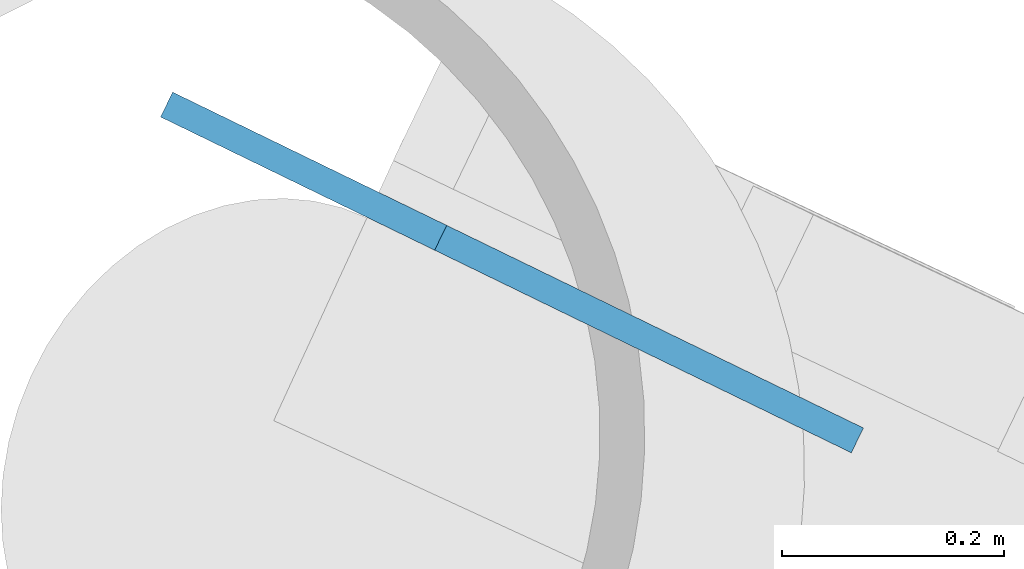
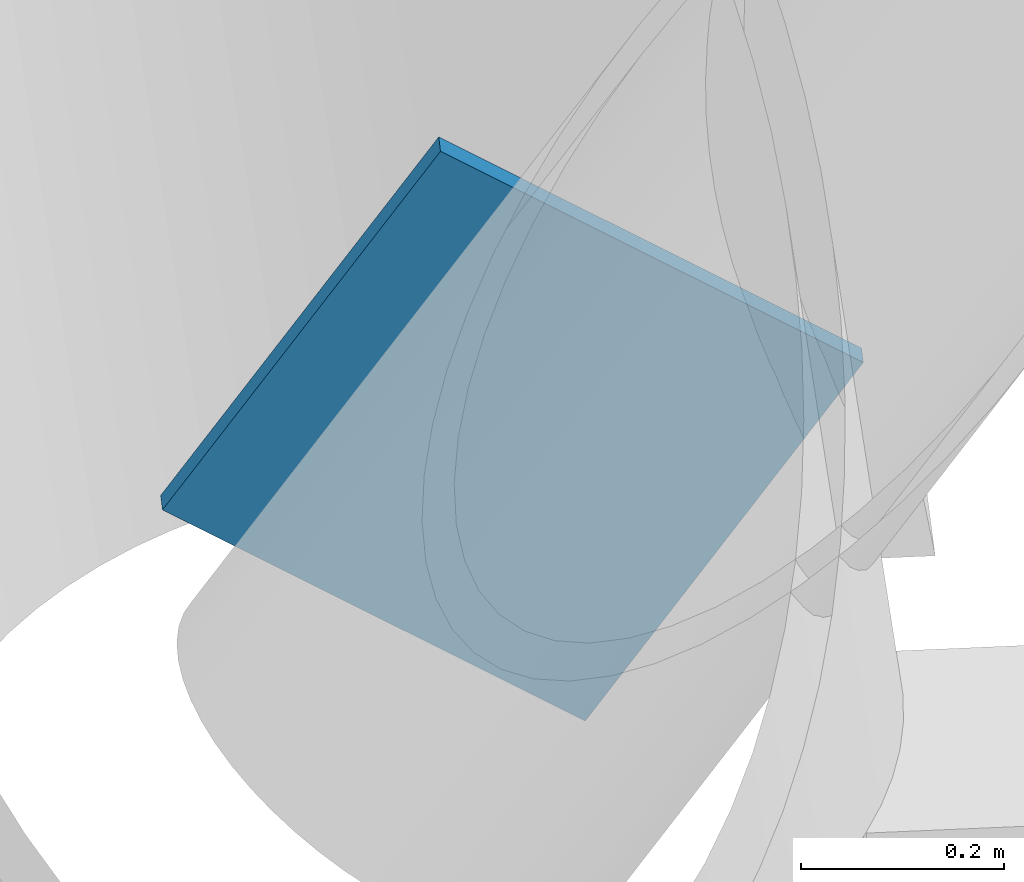
# One storey, part 14 of 22: 1 discrete accessory.
"""IFC4 building model written with IfcOpenShell, lengths in metres."""

from ifc_helpers import new_model, si_unit, direction, frame, origin, origin_2d, place, context, subcontext, project, spatial, rectangle, extrude, material, material_profile, profile_set, type_object, element, save


model = new_model("IFC4")

# Units and contexts
model_context = context("Model", 3, precision=1e-05, world=origin(), true_north=direction((0.0, 1.0)))
body_context = subcontext(model_context, "Body", "Model", "MODEL_VIEW")
ifc_project = project(units=[si_unit("LENGTHUNIT", "METRE"), si_unit("AREAUNIT", "SQUARE_METRE"), si_unit("VOLUMEUNIT", "CUBIC_METRE"), si_unit("PLANEANGLEUNIT", "RADIAN"), si_unit("MASSUNIT", "GRAM", prefix="KILO")], contexts=[model_context])

# Site, building, storey
site_placement = place(None, origin())
site = spatial("IfcSite", under=ifc_project, at=site_placement, CompositionType="ELEMENT")
building_placement = place(site_placement, origin())
building = spatial("IfcBuilding", under=site, at=building_placement, Name="Tarsis Ring Headquarters", CompositionType="ELEMENT")
storey_placement = place(building_placement, frame((0.0, 0.0, 286.39990234375)))
storey = spatial("IfcBuildingStorey", under=building, at=storey_placement, Name="L67", CompositionType="ELEMENT", Elevation=286.39990234375)

# Discrete accessory
ifc_material = material(Name="Structural steel S355", Category="steel")
ifc_material_profile = material_profile(ifc_material, rectangle(XDim=0.02490234375, YDim=0.5, at=origin_2d()), Name="PL 25x500")
ifc_profile_set = profile_set([ifc_material_profile], Name="Structural steel S355")
discrete_accessory_type = type_object("IfcDiscreteAccessoryType", Name="Gusset plate Exo brace 25", PredefinedType="BRACKET", material=ifc_profile_set)
discrete_accessory_placement = place(storey_placement, frame((6.916259765625, 28.481201171875, 0.0), z_axis=(0.494174499521, -0.240250843641, 0.835506490791), x_axis=(0.437232641074, 0.899348440583, 0.0)))
element("IfcDiscreteAccessory", 1, at=discrete_accessory_placement, inside=storey, type_object=discrete_accessory_type, Name="Gusset plate GP5", PredefinedType="BRACKET", context=body_context, shape_type="SweptSolid", body=[
    extrude(rectangle(XDim=0.02490234375, YDim=0.5, at=origin_2d()), origin(), (0.0, 0.0, 1.0), 0.5),
])

save(model, "model.ifc")
